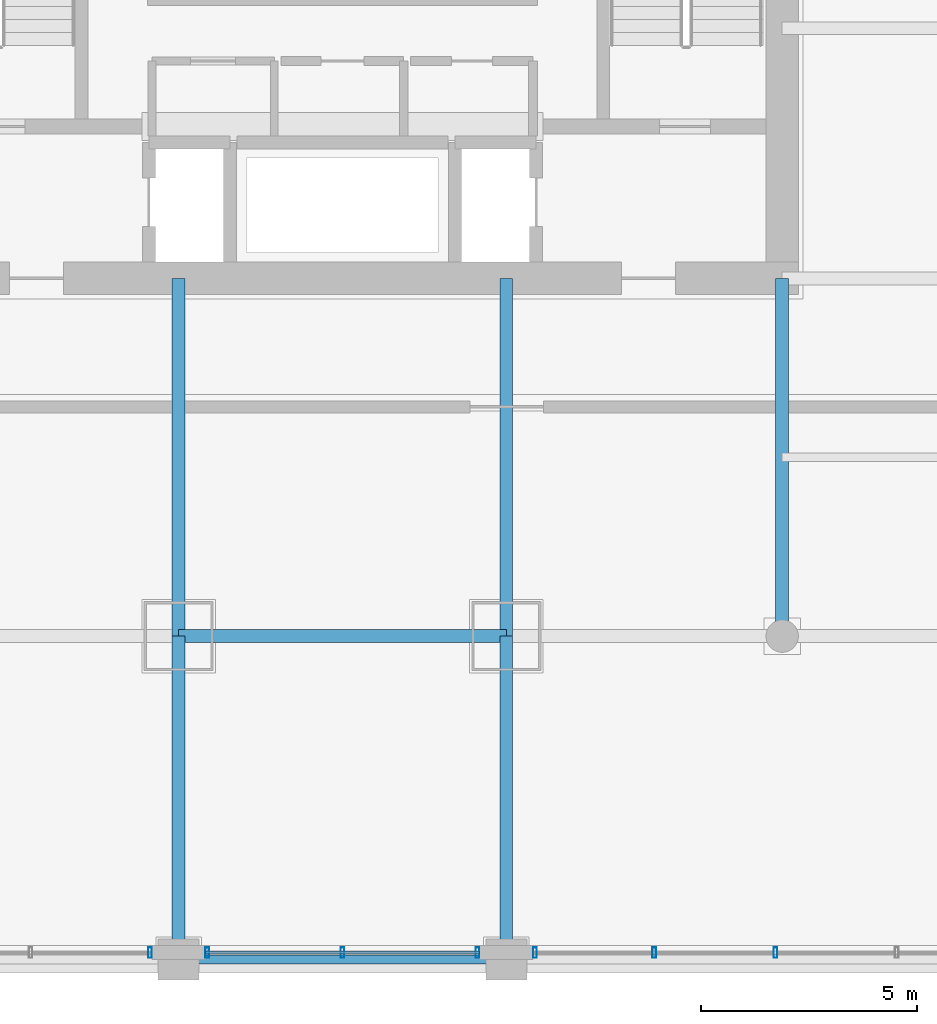
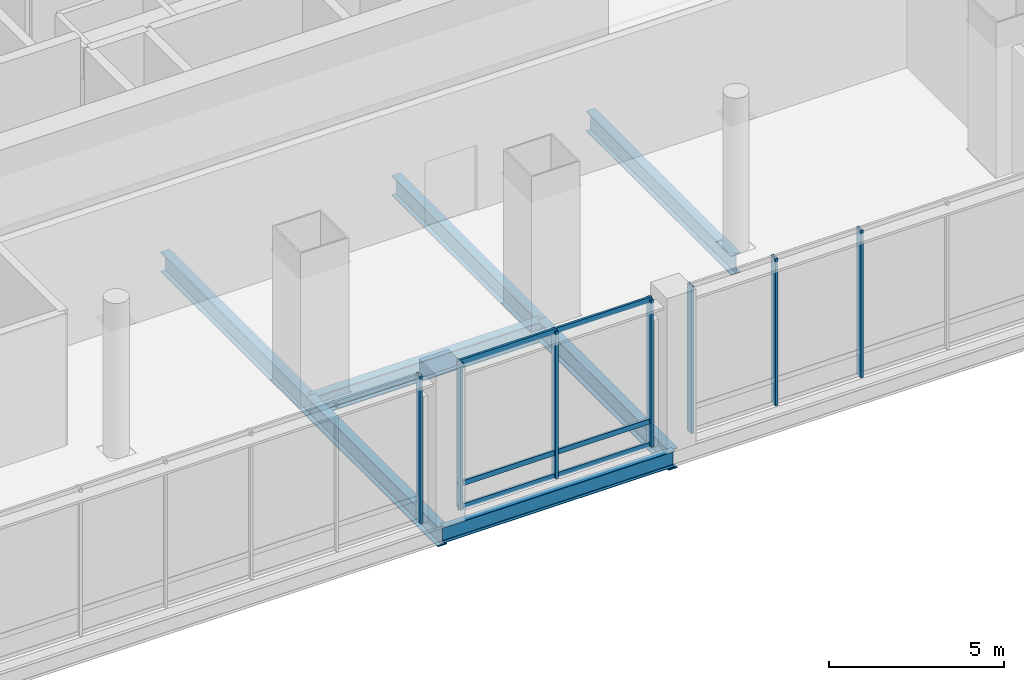
# One storey, part 6 of 39: 10 members, 7 beams, 3 elements without a shape of their own.
"""IFC4 building model written with IfcOpenShell, lengths in metres."""

from ifc_helpers import new_model, si_unit, direction, frame, origin, origin_2d, place, context, subcontext, project, spatial, hollow_rectangle, i_section, extrude, material, material_profile, profile_set, type_object, element, aggregate, save


model = new_model("IFC4")

# Units and contexts
model_context = context("Model", 3, precision=1e-05, world=origin(), true_north=direction((0.0, 1.0)))
body_context = subcontext(model_context, "Body", "Model", "MODEL_VIEW")
ifc_project = project(units=[si_unit("LENGTHUNIT", "METRE"), si_unit("AREAUNIT", "SQUARE_METRE"), si_unit("VOLUMEUNIT", "CUBIC_METRE"), si_unit("PLANEANGLEUNIT", "RADIAN"), si_unit("MASSUNIT", "GRAM", prefix="KILO")], contexts=[model_context])

# Site, building, storey
site_placement = place(None, origin())
site = spatial("IfcSite", under=ifc_project, at=site_placement, CompositionType="ELEMENT")
building_placement = place(site_placement, origin())
building = spatial("IfcBuilding", under=site, at=building_placement, Name="Punatoya Terracotta Tower", CompositionType="ELEMENT")
storey_placement = place(building_placement, frame((0.0, 0.0, 11.39990234375)))
storey = spatial("IfcBuildingStorey", under=building, at=storey_placement, Name="L02", CompositionType="ELEMENT", Elevation=11.39990234375)

# Beams
ifc_material_1 = material(Name="Steel S355", Category="steel")
ifc_material_profile_1 = material_profile(ifc_material_1, i_section(OverallWidth=0.300048828125, OverallDepth=0.699951171875, WebThickness=0.01708984375, FlangeThickness=0.031982421875, FilletRadius=0.01806640625, at=origin_2d()))
ifc_profile_set_1 = profile_set([ifc_material_profile_1], Name="Steel S355")
beam_type_1 = type_object("IfcBeamType", Name="BM-PRI-700", PredefinedType="BEAM", material=ifc_profile_set_1)
beam_1_placement = place(storey_placement, frame((-3.800048828125, -17.5, -0.6298828125), z_axis=(1.0, 0.0, 0.0), x_axis=(0.0, 1.0, 0.0)))
element("IfcBeam", 1, at=beam_1_placement, inside=storey, type_object=beam_type_1, Name="BM-L02-RG-S2", PredefinedType="BEAM", context=body_context, shape_type="SweptSolid", body=[
    extrude(i_section(OverallWidth=0.300048828125, OverallDepth=0.699951171875, WebThickness=0.01708984375, FlangeThickness=0.031982421875, FilletRadius=0.01806640625, at=origin_2d()), origin(), (0.0, 0.0, 1.0), 7.60009765625),
])
for number, where, z_axis, x_axis, name in (
    (2, (-3.800048828125, -17.5, -0.6298828125), (0.0, 1.0, 0.0), (-1.0, 0.0, 0.0), "BM-L02-PR-S2"),
    (3, (3.800048828125, -17.5, -0.6298828125), (0.0, 1.0, 0.0), (-1.0, 0.0, 0.0), "BM-L02-PR-S3"),
    (4, (10.199951171875, -17.5, -0.6298828125), (0.0, 1.0, 0.0), (-1.0, 0.0, 0.0), "BM-L02-PR-S4"),
):
    element("IfcBeam", number, at=place(storey_placement, frame(where, z_axis=z_axis, x_axis=x_axis)), inside=storey, type_object=beam_type_1, Name=name, PredefinedType="BEAM", context=body_context, shape_type="SweptSolid", body=[
        extrude(i_section(OverallWidth=0.300048828125, OverallDepth=0.699951171875, WebThickness=0.01708984375, FlangeThickness=0.031982421875, FilletRadius=0.01806640625, at=origin_2d()), origin(), (0.0, 0.0, 1.0), 8.300048828125),
    ])
for number, where, z_axis, x_axis, name in (
    (5, (-3.800048828125, -25.0, -0.6298828125), (0.0, 1.0, 0.0), (-1.0, 0.0, 0.0), "BM-L02-NS-3-S"),
    (6, (3.800048828125, -25.0, -0.6298828125), (0.0, 1.0, 0.0), (-1.0, 0.0, 0.0), "BM-L02-NS3-S"),
):
    element("IfcBeam", number, at=place(storey_placement, frame(where, z_axis=z_axis, x_axis=x_axis)), inside=storey, type_object=beam_type_1, Name=name, PredefinedType="BEAM", context=body_context, shape_type="SweptSolid", body=[
        extrude(i_section(OverallWidth=0.300048828125, OverallDepth=0.699951171875, WebThickness=0.01708984375, FlangeThickness=0.031982421875, FilletRadius=0.01806640625, at=origin_2d()), origin(), (0.0, 0.0, 1.0), 7.5),
    ])
ifc_material_profile_2 = material_profile(ifc_material_1, i_section(OverallWidth=0.2099609375, OverallDepth=0.550048828125, WebThickness=0.010986328125, FlangeThickness=0.01708984375, FilletRadius=0.01806640625, at=origin_2d()))
ifc_profile_set_2 = profile_set([ifc_material_profile_2], Name="Steel S355")
beam_type_2 = type_object("IfcBeamType", Name="BM-SPN-550", PredefinedType="SPANDREL", material=ifc_profile_set_2)
beam_2_placement = place(storey_placement, frame((-3.800048828125, -25.0, -0.554931640625), z_axis=(1.0, 0.0, 0.0), x_axis=(0.0, 1.0, 0.0)))
element("IfcBeam", 7, at=beam_2_placement, inside=storey, type_object=beam_type_2, Name="BM-L02-MIDA-2", PredefinedType="SPANDREL", context=body_context, shape_type="SweptSolid", body=[
    extrude(i_section(OverallWidth=0.2099609375, OverallDepth=0.550048828125, WebThickness=0.010986328125, FlangeThickness=0.01708984375, FilletRadius=0.01806640625, at=origin_2d()), origin(), (0.0, 0.0, 1.0), 7.60009765625),
])

# Curtain wall, member
ifc_material_2 = material(Name="Aluminium 6063-T6 + Double Low-E Glass", Category="aluminium")
curtain_wall_type = type_object("IfcCurtainWallType", Name="CW-POD", PredefinedType="NOTDEFINED", material=ifc_material_2)
curtain_wall_1_placement = place(storey_placement, origin())
curtain_wall_1 = element("IfcCurtainWall", 8, at=curtain_wall_1_placement, inside=storey, type_object=curtain_wall_type, Name="L02 Curtain Wall CWP-L02-S3", PredefinedType="NOTDEFINED")
ifc_material_3 = material(Name="Aluminium 6063-T6", Category="aluminium")
ifc_material_profile_3 = material_profile(ifc_material_3, hollow_rectangle(XDim=0.0849609375, YDim=0.239990234375, WallThickness=0.0048828125, at=origin_2d()))
ifc_profile_set_3 = profile_set([ifc_material_profile_3], Name="Aluminium 6063-T6")
member_type_1 = type_object("IfcMemberType", Name="CW-MUL-POD", PredefinedType="MULLION", material=ifc_profile_set_3)
member_1_placement = place(storey_placement, frame((-4.465087890625, -24.840087890625, 0.0), z_axis=(0.0, 0.0, 1.0), x_axis=(1.0, 0.0, 0.0)))
member_1 = element("IfcMember", 9, at=member_1_placement, type_object=member_type_1, Name="CWP-L02-S3 Mullion 05", PredefinedType="MULLION", context=body_context, shape_type="SweptSolid", body=[
    extrude(hollow_rectangle(XDim=0.0849609375, YDim=0.239990234375, WallThickness=0.0048828125, at=origin_2d()), origin(), (0.0, 0.0, 1.0), 5.1201171875),
])
aggregate(curtain_wall_1, [member_1])

# Curtain wall, members
curtain_wall_2_placement = place(storey_placement, origin())
curtain_wall_2 = element("IfcCurtainWall", 10, at=curtain_wall_2_placement, inside=storey, type_object=curtain_wall_type, Name="L02 Curtain Wall CWP-L02-S4", PredefinedType="NOTDEFINED")
member_2_placement = place(storey_placement, frame((-3.135009765625, -24.840087890625, 0.0), z_axis=(0.0, 0.0, 1.0), x_axis=(1.0, 0.0, 0.0)))
member_2 = element("IfcMember", 11, at=member_2_placement, type_object=member_type_1, Name="CWP-L02-S4 Mullion 00", PredefinedType="MULLION", context=body_context, shape_type="SweptSolid", body=[
    extrude(hollow_rectangle(XDim=0.0849609375, YDim=0.239990234375, WallThickness=0.0048828125, at=origin_2d()), origin(), (0.0, 0.0, 1.0), 5.1201171875),
])
member_3_placement = place(storey_placement, frame((0.0, -24.840087890625, 0.0), z_axis=(0.0, 0.0, 1.0), x_axis=(1.0, 0.0, 0.0)))
member_3 = element("IfcMember", 12, at=member_3_placement, type_object=member_type_1, Name="CWP-L02-S4 Mullion 01", PredefinedType="MULLION", context=body_context, shape_type="SweptSolid", body=[
    extrude(hollow_rectangle(XDim=0.0849609375, YDim=0.239990234375, WallThickness=0.0048828125, at=origin_2d()), origin(), (0.0, 0.0, 1.0), 5.1201171875),
])
member_4_placement = place(storey_placement, frame((3.135009765625, -24.840087890625, 0.0), z_axis=(0.0, 0.0, 1.0), x_axis=(1.0, 0.0, 0.0)))
member_4 = element("IfcMember", 13, at=member_4_placement, type_object=member_type_1, Name="CWP-L02-S4 Mullion 02", PredefinedType="MULLION", context=body_context, shape_type="SweptSolid", body=[
    extrude(hollow_rectangle(XDim=0.0849609375, YDim=0.239990234375, WallThickness=0.0048828125, at=origin_2d()), origin(), (0.0, 0.0, 1.0), 5.1201171875),
])

curtain_wall_3_placement = place(storey_placement, origin())
curtain_wall_3 = element("IfcCurtainWall", 14, at=curtain_wall_3_placement, inside=storey, type_object=curtain_wall_type, Name="L02 Curtain Wall CWP-L02-S5", PredefinedType="NOTDEFINED")
member_5_placement = place(storey_placement, frame((4.465087890625, -24.840087890625, 0.0), z_axis=(0.0, 0.0, 1.0), x_axis=(1.0, 0.0, 0.0)))
member_5 = element("IfcMember", 15, at=member_5_placement, type_object=member_type_1, Name="CWP-L02-S5 Mullion 00", PredefinedType="MULLION", context=body_context, shape_type="SweptSolid", body=[
    extrude(hollow_rectangle(XDim=0.0849609375, YDim=0.239990234375, WallThickness=0.0048828125, at=origin_2d()), origin(), (0.0, 0.0, 1.0), 5.1201171875),
])
member_6_placement = place(storey_placement, frame((7.23193359375, -24.840087890625, 0.0), z_axis=(0.0, 0.0, 1.0), x_axis=(1.0, 0.0, 0.0)))
member_6 = element("IfcMember", 16, at=member_6_placement, type_object=member_type_1, Name="CWP-L02-S5 Mullion 01", PredefinedType="MULLION", context=body_context, shape_type="SweptSolid", body=[
    extrude(hollow_rectangle(XDim=0.0849609375, YDim=0.239990234375, WallThickness=0.0048828125, at=origin_2d()), origin(), (0.0, 0.0, 1.0), 5.1201171875),
])
member_7_placement = place(storey_placement, frame((10.0439453125, -24.840087890625, 0.0), z_axis=(0.0, 0.0, 1.0), x_axis=(1.0, 0.0, 0.0)))
member_7 = element("IfcMember", 17, at=member_7_placement, type_object=member_type_1, Name="CWP-L02-S5 Mullion 02", PredefinedType="MULLION", context=body_context, shape_type="SweptSolid", body=[
    extrude(hollow_rectangle(XDim=0.0849609375, YDim=0.239990234375, WallThickness=0.0048828125, at=origin_2d()), origin(), (0.0, 0.0, 1.0), 5.1201171875),
])
aggregate(curtain_wall_3, [member_5, member_6, member_7])

# Member
ifc_material_profile_4 = material_profile(ifc_material_3, hollow_rectangle(XDim=0.074951171875, YDim=0.175048828125, WallThickness=0.00439453125, at=origin_2d()))
ifc_profile_set_4 = profile_set([ifc_material_profile_4], Name="Aluminium 6063-T6")
member_type_2 = type_object("IfcMemberType", Name="CW-TRN-POD", PredefinedType="USERDEFINED", material=ifc_profile_set_4)
member_8_placement = place(storey_placement, frame((-3.179931640625, -24.840087890625, 0.0400390625), z_axis=(1.0, 0.0, 0.0), x_axis=(0.0, 1.0, 0.0)))
member_8 = element("IfcMember", 18, at=member_8_placement, type_object=member_type_2, Name="CWP-L02-S4 Transom 1", ObjectType="TRANSOM", PredefinedType="USERDEFINED", context=body_context, shape_type="SweptSolid", body=[
    extrude(hollow_rectangle(XDim=0.074951171875, YDim=0.175048828125, WallThickness=0.00439453125, at=origin_2d()), origin(), (0.0, 0.0, 1.0), 6.35986328125),
])

member_9_placement = place(storey_placement, frame((-3.179931640625, -24.840087890625, 0.85009765625), z_axis=(1.0, 0.0, 0.0), x_axis=(0.0, 1.0, 0.0)))
member_9 = element("IfcMember", 19, at=member_9_placement, type_object=member_type_2, Name="CWP-L02-S4 Transom 2", ObjectType="TRANSOM", PredefinedType="USERDEFINED", context=body_context, shape_type="SweptSolid", body=[
    extrude(hollow_rectangle(XDim=0.074951171875, YDim=0.175048828125, WallThickness=0.00439453125, at=origin_2d()), origin(), (0.0, 0.0, 1.0), 6.35986328125),
])

member_10_placement = place(storey_placement, frame((-3.179931640625, -24.840087890625, 5.080078125), z_axis=(1.0, 0.0, 0.0), x_axis=(0.0, 1.0, 0.0)))
member_10 = element("IfcMember", 20, at=member_10_placement, type_object=member_type_2, Name="CWP-L02-S4 Transom 3", ObjectType="TRANSOM", PredefinedType="USERDEFINED", context=body_context, shape_type="SweptSolid", body=[
    extrude(hollow_rectangle(XDim=0.074951171875, YDim=0.175048828125, WallThickness=0.00439453125, at=origin_2d()), origin(), (0.0, 0.0, 1.0), 6.35986328125),
])

aggregate(curtain_wall_2, [member_2, member_3, member_4, member_8, member_9, member_10])

save(model, "model.ifc")
